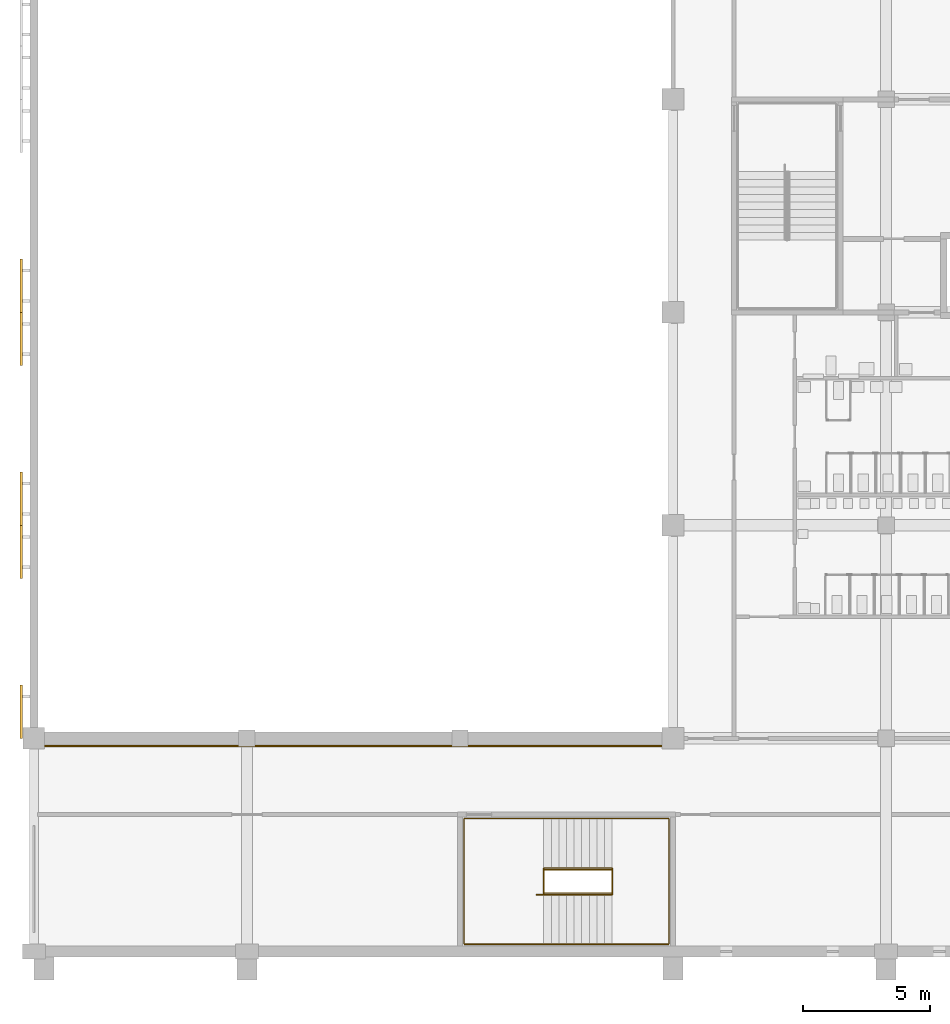
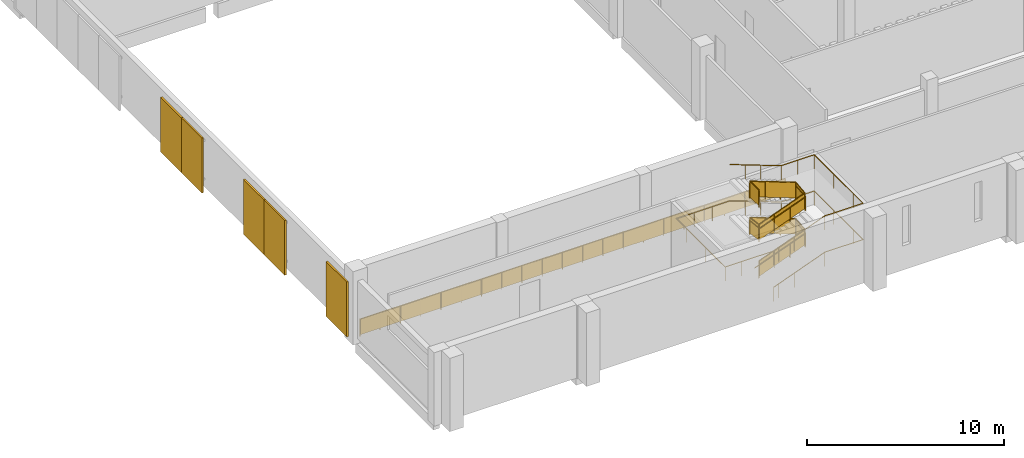
# One storey, part 51 of 64: 5 shading devices, 4 railings.
"""IFC4 building model written with IfcOpenShell, lengths in metres."""

from ifc_helpers import new_model, si_unit, direction, frame, origin, origin_2d, place, context, subcontext, project, spatial, polyline, rectangle, circle, outline, extrude, material, layer, layer_set, type_object, element, save


model = new_model("IFC4")

# Units and contexts
model_context = context("Model", 3, precision=1e-05, world=origin(), true_north=direction((0.0, 1.0)))
body_context = subcontext(model_context, "Body", "Model", "MODEL_VIEW")
ifc_project = project(units=[si_unit("LENGTHUNIT", "METRE"), si_unit("AREAUNIT", "SQUARE_METRE"), si_unit("VOLUMEUNIT", "CUBIC_METRE"), si_unit("PLANEANGLEUNIT", "RADIAN"), si_unit("MASSUNIT", "GRAM", prefix="KILO")], contexts=[model_context])

# Site, building, storey
site_placement = place(None, origin())
site = spatial("IfcSite", under=ifc_project, at=site_placement, CompositionType="ELEMENT")
building_placement = place(site_placement, origin())
building = spatial("IfcBuilding", under=site, at=building_placement, Name="Rulbaag Community and Learning Centre", CompositionType="ELEMENT")
storey_placement = place(building_placement, frame((0.0, 0.0, 5.39990234375)))
storey = spatial("IfcBuildingStorey", under=building, at=storey_placement, Name="L01", CompositionType="ELEMENT", Elevation=5.39990234375)

# Railings
ifc_material_1 = material(Name="Galvanised mild steel", Category="steel")
railing_type_1 = type_object("IfcRailingType", Name="GR-1100 GUARD 1100", PredefinedType="GUARDRAIL", material=ifc_material_1)
railing_1_placement = place(storey_placement, frame((0.050048828125, 8.10009765625, 0.0)))
element("IfcRailing", 1, at=railing_1_placement, inside=storey, type_object=railing_type_1, Name="Guard L01 1", PredefinedType="GUARDRAIL", context=body_context, shape_type="SweptSolid", body=[
    extrude(circle(Radius=0.02490234375, at=origin_2d()), frame((0.0, 0.0, 1.0751953125), z_axis=(1.0, 0.0, 0.0), x_axis=(0.0, 1.0, 0.0)), (0.0, 0.0, 1.0), 24.949951171875),
    extrude(circle(Radius=0.02001953125, at=origin_2d()), origin(), (0.0, 0.0, 1.0), 1.050048828125),
    extrude(circle(Radius=0.02001953125, at=origin_2d()), frame((1.18798828125, 0.0, 0.0)), (0.0, 0.0, 1.0), 1.050048828125),
    extrude(circle(Radius=0.02001953125, at=origin_2d()), frame((2.376220703125, 0.0, 0.0)), (0.0, 0.0, 1.0), 1.050048828125),
    extrude(circle(Radius=0.02001953125, at=origin_2d()), frame((3.564208984375, 0.0, 0.0)), (0.0, 0.0, 1.0), 1.050048828125),
    extrude(circle(Radius=0.02001953125, at=origin_2d()), frame((4.75244140625, 0.0, 0.0)), (0.0, 0.0, 1.0), 1.050048828125),
    extrude(circle(Radius=0.02001953125, at=origin_2d()), frame((5.9404296875, 0.0, 0.0)), (0.0, 0.0, 1.0), 1.050048828125),
    extrude(circle(Radius=0.02001953125, at=origin_2d()), frame((7.128662109375, 0.0, 0.0)), (0.0, 0.0, 1.0), 1.050048828125),
    extrude(circle(Radius=0.02001953125, at=origin_2d()), frame((8.316650390625, 0.0, 0.0)), (0.0, 0.0, 1.0), 1.050048828125),
    extrude(circle(Radius=0.02001953125, at=origin_2d()), frame((9.504638671875, 0.0, 0.0)), (0.0, 0.0, 1.0), 1.050048828125),
    extrude(circle(Radius=0.02001953125, at=origin_2d()), frame((10.69287109375, 0.0, 0.0)), (0.0, 0.0, 1.0), 1.050048828125),
    extrude(circle(Radius=0.02001953125, at=origin_2d()), frame((11.880859375, 0.0, 0.0)), (0.0, 0.0, 1.0), 1.050048828125),
    extrude(circle(Radius=0.02001953125, at=origin_2d()), frame((13.069091796875, 0.0, 0.0)), (0.0, 0.0, 1.0), 1.050048828125),
    extrude(circle(Radius=0.02001953125, at=origin_2d()), frame((14.257080078125, 0.0, 0.0)), (0.0, 0.0, 1.0), 1.050048828125),
    extrude(circle(Radius=0.02001953125, at=origin_2d()), frame((15.4453125, 0.0, 0.0)), (0.0, 0.0, 1.0), 1.050048828125),
    extrude(circle(Radius=0.02001953125, at=origin_2d()), frame((16.63330078125, 0.0, 0.0)), (0.0, 0.0, 1.0), 1.050048828125),
    extrude(circle(Radius=0.02001953125, at=origin_2d()), frame((17.8212890625, 0.0, 0.0)), (0.0, 0.0, 1.0), 1.050048828125),
    extrude(circle(Radius=0.02001953125, at=origin_2d()), frame((19.009521484375, 0.0, 0.0)), (0.0, 0.0, 1.0), 1.050048828125),
    extrude(circle(Radius=0.02001953125, at=origin_2d()), frame((20.197509765625, 0.0, 0.0)), (0.0, 0.0, 1.0), 1.050048828125),
    extrude(circle(Radius=0.02001953125, at=origin_2d()), frame((21.3857421875, 0.0, 0.0)), (0.0, 0.0, 1.0), 1.050048828125),
    extrude(circle(Radius=0.02001953125, at=origin_2d()), frame((22.57373046875, 0.0, 0.0)), (0.0, 0.0, 1.0), 1.050048828125),
    extrude(circle(Radius=0.02001953125, at=origin_2d()), frame((23.761962890625, 0.0, 0.0)), (0.0, 0.0, 1.0), 1.050048828125),
    extrude(circle(Radius=0.02001953125, at=origin_2d()), frame((24.949951171875, 0.0, 0.0)), (0.0, 0.0, 1.0), 1.050048828125),
    extrude(outline(polyline([(0.0, 0.0), (24.949951171875, 0.0), (24.949951171875, 0.949951171875), (0.0, 0.949951171875), (0.0, 0.0)])), frame((0.0, 0.0048828125, 0.10009765625), z_axis=(0.0, -1.0, 0.0), x_axis=(1.0, 0.0, 0.0)), (0.0, 0.0, 1.0), 0.010009765625),
])
railing_2_placement = place(storey_placement, frame((20.10009765625, 2.304931640625, 0.112548828125)))
element("IfcRailing", 2, at=railing_2_placement, inside=storey, type_object=railing_type_1, Name="Guard SH9 L01 G", PredefinedType="GUARDRAIL", context=body_context, shape_type="SweptSolid", body=[
    extrude(circle(Radius=0.02490234375, at=origin_2d()), frame((0.0, 0.0, 1.0751953125), z_axis=(0.93633265699, 0.0, 0.351114162993), x_axis=(0.0, 1.0, 0.0)), (0.0, 0.0, 1.0), 2.883544921875),
    extrude(circle(Radius=0.02490234375, at=origin_2d()), frame((2.699951171875, 0.0, 2.08740234375), z_axis=(0.0, 0.992520392836, 0.122078949065), x_axis=(-1.0, 0.0, 0.0)), (0.0, 0.0, 1.0), 0.921875),
    extrude(circle(Radius=0.02490234375, at=origin_2d()), frame((2.699951171875, 0.9150390625, 2.2001953125), z_axis=(-0.93633265699, 0.0, 0.351114162993), x_axis=(0.0, -1.0, 0.0)), (0.0, 0.0, 1.0), 2.883544921875),
    extrude(circle(Radius=0.02490234375, at=origin_2d()), frame((0.0, 0.9150390625, 3.21240234375), z_axis=(0.0, -0.992520392836, 0.122078949065), x_axis=(1.0, 0.0, 0.0)), (0.0, 0.0, 1.0), 0.921875),
    extrude(circle(Radius=0.02490234375, at=origin_2d()), frame((0.0, 0.0, 3.3251953125), z_axis=(0.93633265699, 0.0, 0.351114162993), x_axis=(0.0, 1.0, 0.0)), (0.0, 0.0, 1.0), 2.883544921875),
    extrude(circle(Radius=0.02490234375, at=origin_2d()), frame((2.699951171875, 0.0, 4.33740234375), z_axis=(0.0, 0.992520392836, 0.122078949065), x_axis=(-1.0, 0.0, 0.0)), (0.0, 0.0, 1.0), 0.921875),
    extrude(circle(Radius=0.02490234375, at=origin_2d()), frame((2.699951171875, 0.9150390625, 4.4501953125), z_axis=(-0.93633265699, 0.0, 0.351114162993), x_axis=(0.0, -1.0, 0.0)), (0.0, 0.0, 1.0), 2.883544921875),
    extrude(circle(Radius=0.02490234375, at=origin_2d()), frame((0.0, 0.9150390625, 5.46240234375), z_axis=(0.0, -1.0, 0.0), x_axis=(1.0, 0.0, 0.0)), (0.0, 0.0, 1.0), 0.9150390625),
    extrude(circle(Radius=0.02001953125, at=origin_2d()), origin(), (0.0, 0.0, 1.0), 1.050048828125),
    extrude(circle(Radius=0.02001953125, at=origin_2d()), frame((0.89990234375, 0.0, 0.33740234375)), (0.0, 0.0, 1.0), 1.050048828125),
    extrude(circle(Radius=0.02001953125, at=origin_2d()), frame((1.800048828125, 0.0, 0.675048828125)), (0.0, 0.0, 1.0), 1.050048828125),
    extrude(circle(Radius=0.02001953125, at=origin_2d()), frame((2.699951171875, 0.0, 1.012451171875)), (0.0, 0.0, 1.0), 1.050048828125),
    extrude(circle(Radius=0.02001953125, at=origin_2d()), frame((2.699951171875, 0.9150390625, 1.125)), (0.0, 0.0, 1.0), 1.050048828125),
    extrude(circle(Radius=0.02001953125, at=origin_2d()), frame((1.800048828125, 0.9150390625, 1.46240234375)), (0.0, 0.0, 1.0), 1.050048828125),
    extrude(circle(Radius=0.02001953125, at=origin_2d()), frame((0.89990234375, 0.9150390625, 1.800048828125)), (0.0, 0.0, 1.0), 1.050048828125),
    extrude(circle(Radius=0.02001953125, at=origin_2d()), frame((0.0, 0.9150390625, 2.137451171875)), (0.0, 0.0, 1.0), 1.050048828125),
    extrude(circle(Radius=0.02001953125, at=origin_2d()), frame((0.0, 0.0, 2.25)), (0.0, 0.0, 1.0), 1.050048828125),
    extrude(circle(Radius=0.02001953125, at=origin_2d()), frame((0.89990234375, 0.0, 2.58740234375)), (0.0, 0.0, 1.0), 1.050048828125),
    extrude(circle(Radius=0.02001953125, at=origin_2d()), frame((1.800048828125, 0.0, 2.925048828125)), (0.0, 0.0, 1.0), 1.050048828125),
    extrude(circle(Radius=0.02001953125, at=origin_2d()), frame((2.699951171875, 0.0, 3.262451171875)), (0.0, 0.0, 1.0), 1.050048828125),
    extrude(circle(Radius=0.02001953125, at=origin_2d()), frame((2.699951171875, 0.9150390625, 3.375)), (0.0, 0.0, 1.0), 1.050048828125),
    extrude(circle(Radius=0.02001953125, at=origin_2d()), frame((1.800048828125, 0.9150390625, 3.71240234375)), (0.0, 0.0, 1.0), 1.050048828125),
    extrude(circle(Radius=0.02001953125, at=origin_2d()), frame((0.89990234375, 0.9150390625, 4.050048828125)), (0.0, 0.0, 1.0), 1.050048828125),
    extrude(circle(Radius=0.02001953125, at=origin_2d()), frame((0.0, 0.9150390625, 4.387451171875)), (0.0, 0.0, 1.0), 1.050048828125),
    extrude(circle(Radius=0.02001953125, at=origin_2d()), frame((0.0, 0.0, 4.387451171875)), (0.0, 0.0, 1.0), 1.050048828125),
    extrude(outline(polyline([(0.0, 0.0), (2.699951171875, 1.012451171875), (2.699951171875, 1.96240234375), (0.0, 0.949951171875), (0.0, 0.0)])), frame((0.0, 0.0048828125, 0.10009765625), z_axis=(0.0, -1.0, 0.0), x_axis=(1.0, 0.0, 0.0)), (0.0, 0.0, 1.0), 0.010009765625),
    extrude(outline(polyline([(0.0, 0.0), (0.9150390625, 0.112548828125), (0.9150390625, 1.0625), (0.0, 0.949951171875), (0.0, 0.0)])), frame((2.69482421875, 0.0, 1.112548828125), z_axis=(1.0, 0.0, 0.0), x_axis=(0.0, 1.0, 0.0)), (0.0, 0.0, 1.0), 0.010009765625),
    extrude(outline(polyline([(0.0, 0.0), (2.699951171875, 1.012451171875), (2.699951171875, 1.96240234375), (0.0, 0.949951171875), (0.0, 0.0)])), frame((2.699951171875, 0.91015625, 1.22509765625), z_axis=(0.0, 1.0, 0.0), x_axis=(-1.0, 0.0, 0.0)), (0.0, 0.0, 1.0), 0.010009765625),
    extrude(outline(polyline([(0.0, 0.0), (0.9150390625, 0.112548828125), (0.9150390625, 1.0625), (0.0, 0.949951171875), (0.0, 0.0)])), frame((0.0048828125, 0.9150390625, 2.237548828125), z_axis=(-1.0, 0.0, 0.0), x_axis=(0.0, -1.0, 0.0)), (0.0, 0.0, 1.0), 0.010009765625),
    extrude(outline(polyline([(0.0, 0.0), (2.699951171875, 1.012451171875), (2.699951171875, 1.96240234375), (0.0, 0.949951171875), (0.0, 0.0)])), frame((0.0, 0.0048828125, 2.35009765625), z_axis=(0.0, -1.0, 0.0), x_axis=(1.0, 0.0, 0.0)), (0.0, 0.0, 1.0), 0.010009765625),
    extrude(outline(polyline([(0.0, 0.0), (0.9150390625, 0.112548828125), (0.9150390625, 1.0625), (0.0, 0.949951171875), (0.0, 0.0)])), frame((2.69482421875, 0.0, 3.362548828125), z_axis=(1.0, 0.0, 0.0), x_axis=(0.0, 1.0, 0.0)), (0.0, 0.0, 1.0), 0.010009765625),
    extrude(outline(polyline([(0.0, 0.0), (2.699951171875, 1.012451171875), (2.699951171875, 1.96240234375), (0.0, 0.949951171875), (0.0, 0.0)])), frame((2.699951171875, 0.91015625, 3.47509765625), z_axis=(0.0, 1.0, 0.0), x_axis=(-1.0, 0.0, 0.0)), (0.0, 0.0, 1.0), 0.010009765625),
    extrude(outline(polyline([(0.0, 0.0), (0.9150390625, 0.0), (0.9150390625, 0.949951171875), (0.0, 0.949951171875), (0.0, 0.0)])), frame((0.0048828125, 0.9150390625, 4.487548828125), z_axis=(-1.0, 0.0, 0.0), x_axis=(0.0, -1.0, 0.0)), (0.0, 0.0, 1.0), 0.010009765625),
])
ifc_material_2 = material(Name="Stainless steel grade 316", Category="steel")
railing_type_2 = type_object("IfcRailingType", Name="HR-900 HANDRAIL 900", PredefinedType="HANDRAIL", material=ifc_material_2)
railing_3_placement = place(storey_placement, frame((19.800048828125, 0.284912109375, 0.0)))
element("IfcRailing", 3, at=railing_3_placement, inside=storey, type_object=railing_type_2, Name="Handrail SH9 L01 O", PredefinedType="HANDRAIL", context=body_context, shape_type="SweptSolid", body=[
    extrude(circle(Radius=0.024169921875, at=origin_2d()), frame((0.0, 0.0, 0.875732421875), z_axis=(0.936297865471, 0.0, 0.351206929196), x_axis=(0.0, 1.0, 0.0)), (0.0, 0.0, 1.0), 0.320556640625),
    extrude(circle(Radius=0.024169921875, at=origin_2d()), frame((0.300048828125, 0.0, 0.98828125), z_axis=(0.93633265699, 0.0, 0.351114162993), x_axis=(0.0, 1.0, 0.0)), (0.0, 0.0, 1.0), 2.883544921875),
    extrude(circle(Radius=0.024169921875, at=origin_2d()), frame((3.0, 0.0, 2.000732421875), z_axis=(1.0, 0.0, 0.0), x_axis=(0.0, 1.0, 0.0)), (0.0, 0.0, 1.0), 2.239990234375),
    extrude(circle(Radius=0.024169921875, at=origin_2d()), frame((5.239990234375, 0.0, 2.000732421875), z_axis=(0.0, 1.0, 0.0), x_axis=(-1.0, 0.0, 0.0)), (0.0, 0.0, 1.0), 4.955078125),
    extrude(circle(Radius=0.024169921875, at=origin_2d()), frame((5.239990234375, 4.955078125, 2.000732421875), z_axis=(-1.0, 0.0, 0.0), x_axis=(0.0, -1.0, 0.0)), (0.0, 0.0, 1.0), 1.93994140625),
    extrude(circle(Radius=0.024169921875, at=origin_2d()), frame((3.300048828125, 4.955078125, 2.000732421875), z_axis=(-0.936297865471, 0.0, 0.351206929196), x_axis=(0.0, -1.0, 0.0)), (0.0, 0.0, 1.0), 0.320556640625),
    extrude(circle(Radius=0.024169921875, at=origin_2d()), frame((3.0, 4.955078125, 2.11328125), z_axis=(-0.93633265699, 0.0, 0.351114162993), x_axis=(0.0, -1.0, 0.0)), (0.0, 0.0, 1.0), 2.883544921875),
    extrude(circle(Radius=0.024169921875, at=origin_2d()), frame((0.300048828125, 4.955078125, 3.125732421875), z_axis=(-1.0, 0.0, 0.0), x_axis=(0.0, -1.0, 0.0)), (0.0, 0.0, 1.0), 3.14013671875),
    extrude(circle(Radius=0.024169921875, at=origin_2d()), frame((-2.840087890625, 4.955078125, 3.125732421875), z_axis=(0.0, -1.0, 0.0), x_axis=(1.0, 0.0, 0.0)), (0.0, 0.0, 1.0), 4.955078125),
    extrude(circle(Radius=0.024169921875, at=origin_2d()), frame((-2.840087890625, 0.0, 3.125732421875), z_axis=(1.0, 0.0, 0.0), x_axis=(0.0, 1.0, 0.0)), (0.0, 0.0, 1.0), 2.840087890625),
    extrude(circle(Radius=0.024169921875, at=origin_2d()), frame((0.0, 0.0, 3.125732421875), z_axis=(0.936297865471, 0.0, 0.351206929196), x_axis=(0.0, 1.0, 0.0)), (0.0, 0.0, 1.0), 0.320556640625),
    extrude(circle(Radius=0.024169921875, at=origin_2d()), frame((0.300048828125, 0.0, 3.23828125), z_axis=(0.93633265699, 0.0, 0.351114162993), x_axis=(0.0, 1.0, 0.0)), (0.0, 0.0, 1.0), 2.883544921875),
    extrude(circle(Radius=0.024169921875, at=origin_2d()), frame((3.0, 0.0, 4.250732421875), z_axis=(1.0, 0.0, 0.0), x_axis=(0.0, 1.0, 0.0)), (0.0, 0.0, 1.0), 2.239990234375),
    extrude(circle(Radius=0.024169921875, at=origin_2d()), frame((5.239990234375, 0.0, 4.250732421875), z_axis=(0.0, 1.0, 0.0), x_axis=(-1.0, 0.0, 0.0)), (0.0, 0.0, 1.0), 4.955078125),
    extrude(circle(Radius=0.024169921875, at=origin_2d()), frame((5.239990234375, 4.955078125, 4.250732421875), z_axis=(-1.0, 0.0, 0.0), x_axis=(0.0, -1.0, 0.0)), (0.0, 0.0, 1.0), 1.93994140625),
    extrude(circle(Radius=0.024169921875, at=origin_2d()), frame((3.300048828125, 4.955078125, 4.250732421875), z_axis=(-0.936297865471, 0.0, 0.351206929196), x_axis=(0.0, -1.0, 0.0)), (0.0, 0.0, 1.0), 0.320556640625),
    extrude(circle(Radius=0.024169921875, at=origin_2d()), frame((3.0, 4.955078125, 4.36328125), z_axis=(-0.93633265699, 0.0, 0.351114162993), x_axis=(0.0, -1.0, 0.0)), (0.0, 0.0, 1.0), 2.883544921875),
    extrude(circle(Radius=0.008056640625, at=origin_2d()), origin(), (0.0, 0.0, 1.0), 0.8515625),
    extrude(circle(Radius=0.008056640625, at=origin_2d()), frame((0.300048828125, 0.0, 0.112548828125)), (0.0, 0.0, 1.0), 0.8515625),
    extrude(circle(Radius=0.008056640625, at=origin_2d()), frame((1.199951171875, 0.0, 0.449951171875)), (0.0, 0.0, 1.0), 0.8515625),
    extrude(circle(Radius=0.008056640625, at=origin_2d()), frame((2.10009765625, 0.0, 0.78759765625)), (0.0, 0.0, 1.0), 0.8515625),
    extrude(circle(Radius=0.008056640625, at=origin_2d()), frame((3.0, 0.0, 1.125)), (0.0, 0.0, 1.0), 0.8515625),
    extrude(circle(Radius=0.008056640625, at=origin_2d()), frame((4.1201171875, 0.0, 1.125)), (0.0, 0.0, 1.0), 0.8515625),
    extrude(circle(Radius=0.008056640625, at=origin_2d()), frame((5.239990234375, 0.0, 1.125)), (0.0, 0.0, 1.0), 0.8515625),
    extrude(circle(Radius=0.008056640625, at=origin_2d()), frame((5.239990234375, 0.990966796875, 1.125)), (0.0, 0.0, 1.0), 0.8515625),
    extrude(circle(Radius=0.008056640625, at=origin_2d()), frame((5.239990234375, 1.98193359375, 1.125)), (0.0, 0.0, 1.0), 0.8515625),
    extrude(circle(Radius=0.008056640625, at=origin_2d()), frame((5.239990234375, 2.97314453125, 1.125)), (0.0, 0.0, 1.0), 0.8515625),
    extrude(circle(Radius=0.008056640625, at=origin_2d()), frame((5.239990234375, 3.964111328125, 1.125)), (0.0, 0.0, 1.0), 0.8515625),
    extrude(circle(Radius=0.008056640625, at=origin_2d()), frame((5.239990234375, 4.955078125, 1.125)), (0.0, 0.0, 1.0), 0.8515625),
    extrude(circle(Radius=0.008056640625, at=origin_2d()), frame((4.27001953125, 4.955078125, 1.125)), (0.0, 0.0, 1.0), 0.8515625),
    extrude(circle(Radius=0.008056640625, at=origin_2d()), frame((3.300048828125, 4.955078125, 1.125)), (0.0, 0.0, 1.0), 0.8515625),
    extrude(circle(Radius=0.008056640625, at=origin_2d()), frame((3.0, 4.955078125, 1.237548828125)), (0.0, 0.0, 1.0), 0.8515625),
    extrude(circle(Radius=0.008056640625, at=origin_2d()), frame((2.10009765625, 4.955078125, 1.574951171875)), (0.0, 0.0, 1.0), 0.8515625),
    extrude(circle(Radius=0.008056640625, at=origin_2d()), frame((1.199951171875, 4.955078125, 1.91259765625)), (0.0, 0.0, 1.0), 0.8515625),
    extrude(circle(Radius=0.008056640625, at=origin_2d()), frame((0.300048828125, 4.955078125, 2.25)), (0.0, 0.0, 1.0), 0.8515625),
    extrude(circle(Radius=0.008056640625, at=origin_2d()), frame((-0.74658203125, 4.955078125, 2.25)), (0.0, 0.0, 1.0), 0.8515625),
    extrude(circle(Radius=0.008056640625, at=origin_2d()), frame((-1.79345703125, 4.955078125, 2.25)), (0.0, 0.0, 1.0), 0.8515625),
    extrude(circle(Radius=0.008056640625, at=origin_2d()), frame((-2.840087890625, 4.955078125, 2.25)), (0.0, 0.0, 1.0), 0.8515625),
    extrude(circle(Radius=0.008056640625, at=origin_2d()), frame((-2.840087890625, 3.964111328125, 2.25)), (0.0, 0.0, 1.0), 0.8515625),
    extrude(circle(Radius=0.008056640625, at=origin_2d()), frame((-2.840087890625, 2.97314453125, 2.25)), (0.0, 0.0, 1.0), 0.8515625),
    extrude(circle(Radius=0.008056640625, at=origin_2d()), frame((-2.840087890625, 1.98193359375, 2.25)), (0.0, 0.0, 1.0), 0.8515625),
    extrude(circle(Radius=0.008056640625, at=origin_2d()), frame((-2.840087890625, 0.990966796875, 2.25)), (0.0, 0.0, 1.0), 0.8515625),
    extrude(circle(Radius=0.008056640625, at=origin_2d()), frame((-2.840087890625, 0.0, 2.25)), (0.0, 0.0, 1.0), 0.8515625),
    extrude(circle(Radius=0.008056640625, at=origin_2d()), frame((-1.893310546875, 0.0, 2.25)), (0.0, 0.0, 1.0), 0.8515625),
    extrude(circle(Radius=0.008056640625, at=origin_2d()), frame((-0.94677734375, 0.0, 2.25)), (0.0, 0.0, 1.0), 0.8515625),
    extrude(circle(Radius=0.008056640625, at=origin_2d()), frame((0.0, 0.0, 2.25)), (0.0, 0.0, 1.0), 0.8515625),
    extrude(circle(Radius=0.008056640625, at=origin_2d()), frame((0.300048828125, 0.0, 2.362548828125)), (0.0, 0.0, 1.0), 0.8515625),
    extrude(circle(Radius=0.008056640625, at=origin_2d()), frame((1.199951171875, 0.0, 2.699951171875)), (0.0, 0.0, 1.0), 0.8515625),
    extrude(circle(Radius=0.008056640625, at=origin_2d()), frame((2.10009765625, 0.0, 3.03759765625)), (0.0, 0.0, 1.0), 0.8515625),
    extrude(circle(Radius=0.008056640625, at=origin_2d()), frame((3.0, 0.0, 3.375)), (0.0, 0.0, 1.0), 0.8515625),
    extrude(circle(Radius=0.008056640625, at=origin_2d()), frame((4.1201171875, 0.0, 3.375)), (0.0, 0.0, 1.0), 0.8515625),
    extrude(circle(Radius=0.008056640625, at=origin_2d()), frame((5.239990234375, 0.0, 3.375)), (0.0, 0.0, 1.0), 0.8515625),
    extrude(circle(Radius=0.008056640625, at=origin_2d()), frame((5.239990234375, 0.990966796875, 3.375)), (0.0, 0.0, 1.0), 0.8515625),
    extrude(circle(Radius=0.008056640625, at=origin_2d()), frame((5.239990234375, 1.98193359375, 3.375)), (0.0, 0.0, 1.0), 0.8515625),
    extrude(circle(Radius=0.008056640625, at=origin_2d()), frame((5.239990234375, 2.97314453125, 3.375)), (0.0, 0.0, 1.0), 0.8515625),
    extrude(circle(Radius=0.008056640625, at=origin_2d()), frame((5.239990234375, 3.964111328125, 3.375)), (0.0, 0.0, 1.0), 0.8515625),
    extrude(circle(Radius=0.008056640625, at=origin_2d()), frame((5.239990234375, 4.955078125, 3.375)), (0.0, 0.0, 1.0), 0.8515625),
    extrude(circle(Radius=0.008056640625, at=origin_2d()), frame((4.27001953125, 4.955078125, 3.375)), (0.0, 0.0, 1.0), 0.8515625),
    extrude(circle(Radius=0.008056640625, at=origin_2d()), frame((3.300048828125, 4.955078125, 3.375)), (0.0, 0.0, 1.0), 0.8515625),
    extrude(circle(Radius=0.008056640625, at=origin_2d()), frame((3.0, 4.955078125, 3.487548828125)), (0.0, 0.0, 1.0), 0.8515625),
    extrude(circle(Radius=0.008056640625, at=origin_2d()), frame((2.10009765625, 4.955078125, 3.824951171875)), (0.0, 0.0, 1.0), 0.8515625),
    extrude(circle(Radius=0.008056640625, at=origin_2d()), frame((1.199951171875, 4.955078125, 4.16259765625)), (0.0, 0.0, 1.0), 0.8515625),
    extrude(circle(Radius=0.008056640625, at=origin_2d()), frame((0.300048828125, 4.955078125, 4.5)), (0.0, 0.0, 1.0), 0.8515625),
])
railing_4_placement = place(storey_placement, frame((19.800048828125, 2.235107421875, 0.0)))
element("IfcRailing", 4, at=railing_4_placement, inside=storey, type_object=railing_type_2, Name="Handrail SH9 L01 I", PredefinedType="HANDRAIL", context=body_context, shape_type="SweptSolid", body=[
    extrude(circle(Radius=0.024169921875, at=origin_2d()), frame((0.0, 0.0, 0.875732421875), z_axis=(0.936297865471, 0.0, 0.351206929196), x_axis=(0.0, 1.0, 0.0)), (0.0, 0.0, 1.0), 0.320556640625),
    extrude(circle(Radius=0.024169921875, at=origin_2d()), frame((0.300048828125, 0.0, 0.98828125), z_axis=(0.93633265699, 0.0, 0.351114162993), x_axis=(0.0, 1.0, 0.0)), (0.0, 0.0, 1.0), 2.883544921875),
    extrude(circle(Radius=0.024169921875, at=origin_2d()), frame((3.0, 0.0, 2.000732421875), z_axis=(0.0, 0.994356935106, 0.106086217793), x_axis=(-1.0, 0.0, 0.0)), (0.0, 0.0, 1.0), 1.06103515625),
    extrude(circle(Radius=0.024169921875, at=origin_2d()), frame((3.0, 1.054931640625, 2.11328125), z_axis=(-0.93633265699, 0.0, 0.351114162993), x_axis=(0.0, -1.0, 0.0)), (0.0, 0.0, 1.0), 2.883544921875),
    extrude(circle(Radius=0.024169921875, at=origin_2d()), frame((0.300048828125, 1.054931640625, 3.125732421875), z_axis=(0.0, -0.994356935106, 0.106086217793), x_axis=(1.0, 0.0, 0.0)), (0.0, 0.0, 1.0), 1.06103515625),
    extrude(circle(Radius=0.024169921875, at=origin_2d()), frame((0.300048828125, 0.0, 3.23828125), z_axis=(0.93633265699, 0.0, 0.351114162993), x_axis=(0.0, 1.0, 0.0)), (0.0, 0.0, 1.0), 2.883544921875),
    extrude(circle(Radius=0.024169921875, at=origin_2d()), frame((3.0, 0.0, 4.250732421875), z_axis=(0.0, 0.994356935106, 0.106086217793), x_axis=(-1.0, 0.0, 0.0)), (0.0, 0.0, 1.0), 1.06103515625),
    extrude(circle(Radius=0.024169921875, at=origin_2d()), frame((3.0, 1.054931640625, 4.36328125), z_axis=(-0.93633265699, 0.0, 0.351114162993), x_axis=(0.0, -1.0, 0.0)), (0.0, 0.0, 1.0), 2.883544921875),
    extrude(circle(Radius=0.008056640625, at=origin_2d()), origin(), (0.0, 0.0, 1.0), 0.8515625),
    extrude(circle(Radius=0.008056640625, at=origin_2d()), frame((0.300048828125, 0.0, 0.112548828125)), (0.0, 0.0, 1.0), 0.8515625),
    extrude(circle(Radius=0.008056640625, at=origin_2d()), frame((1.199951171875, 0.0, 0.449951171875)), (0.0, 0.0, 1.0), 0.8515625),
    extrude(circle(Radius=0.008056640625, at=origin_2d()), frame((2.10009765625, 0.0, 0.78759765625)), (0.0, 0.0, 1.0), 0.8515625),
    extrude(circle(Radius=0.008056640625, at=origin_2d()), frame((3.0, 0.0, 1.125)), (0.0, 0.0, 1.0), 0.8515625),
    extrude(circle(Radius=0.008056640625, at=origin_2d()), frame((3.0, 1.054931640625, 1.237548828125)), (0.0, 0.0, 1.0), 0.8515625),
    extrude(circle(Radius=0.008056640625, at=origin_2d()), frame((2.10009765625, 1.054931640625, 1.574951171875)), (0.0, 0.0, 1.0), 0.8515625),
    extrude(circle(Radius=0.008056640625, at=origin_2d()), frame((1.199951171875, 1.054931640625, 1.91259765625)), (0.0, 0.0, 1.0), 0.8515625),
    extrude(circle(Radius=0.008056640625, at=origin_2d()), frame((0.300048828125, 1.054931640625, 2.25)), (0.0, 0.0, 1.0), 0.8515625),
    extrude(circle(Radius=0.008056640625, at=origin_2d()), frame((0.300048828125, 0.0, 2.362548828125)), (0.0, 0.0, 1.0), 0.8515625),
    extrude(circle(Radius=0.008056640625, at=origin_2d()), frame((1.199951171875, 0.0, 2.699951171875)), (0.0, 0.0, 1.0), 0.8515625),
    extrude(circle(Radius=0.008056640625, at=origin_2d()), frame((2.10009765625, 0.0, 3.03759765625)), (0.0, 0.0, 1.0), 0.8515625),
    extrude(circle(Radius=0.008056640625, at=origin_2d()), frame((3.0, 0.0, 3.375)), (0.0, 0.0, 1.0), 0.8515625),
    extrude(circle(Radius=0.008056640625, at=origin_2d()), frame((3.0, 1.054931640625, 3.487548828125)), (0.0, 0.0, 1.0), 0.8515625),
    extrude(circle(Radius=0.008056640625, at=origin_2d()), frame((2.10009765625, 1.054931640625, 3.824951171875)), (0.0, 0.0, 1.0), 0.8515625),
    extrude(circle(Radius=0.008056640625, at=origin_2d()), frame((1.199951171875, 1.054931640625, 4.16259765625)), (0.0, 0.0, 1.0), 0.8515625),
    extrude(circle(Radius=0.008056640625, at=origin_2d()), frame((0.300048828125, 1.054931640625, 4.5)), (0.0, 0.0, 1.0), 0.8515625),
])

# Shading devices
ifc_material_3 = material(Name="Concrete M40", Category="concrete")
ifc_layer = layer(ifc_material_3, 0.10009765625)
ifc_layer_set = layer_set([ifc_layer], Name="JS-100")
shading_device_type = type_object("IfcShadingDeviceType", Name="JS-100", PredefinedType="SHUTTER", material=ifc_layer_set)
for number, where, z_axis, x_axis, name in (
    (5, (-0.5, 9.449951171875, 0.000244140625), (0.0, 0.0, 1.0), (1.0, 0.0, 0.0), "Jaali screen"),
    (6, (-0.5, 15.75, 0.000244140625), (0.0, 0.0, 1.0), (1.0, 0.0, 0.0), "Jaali screen"),
    (7, (-0.5, 17.85009765625, 0.000244140625), (0.0, 0.0, 1.0), (1.0, 0.0, 0.0), "Jaali screen"),
    (8, (-0.5, 24.14990234375, 0.000244140625), (0.0, 0.0, 1.0), (1.0, 0.0, 0.0), "Jaali screen"),
    (9, (-0.5, 26.25, 0.000244140625), (0.0, 0.0, 1.0), (1.0, 0.0, 0.0), "Jaali screen"),
):
    element("IfcShadingDevice", number, at=place(storey_placement, frame(where, z_axis=z_axis, x_axis=x_axis)), inside=storey, type_object=shading_device_type, Name=name, PredefinedType="SHUTTER", context=body_context, shape_type="SweptSolid", body=[
        extrude(rectangle(XDim=0.10009765625, YDim=2.10009765625, at=origin_2d()), origin(), (0.0, 0.0, 1.0), 3.39990234375),
    ])

save(model, "model.ifc")
